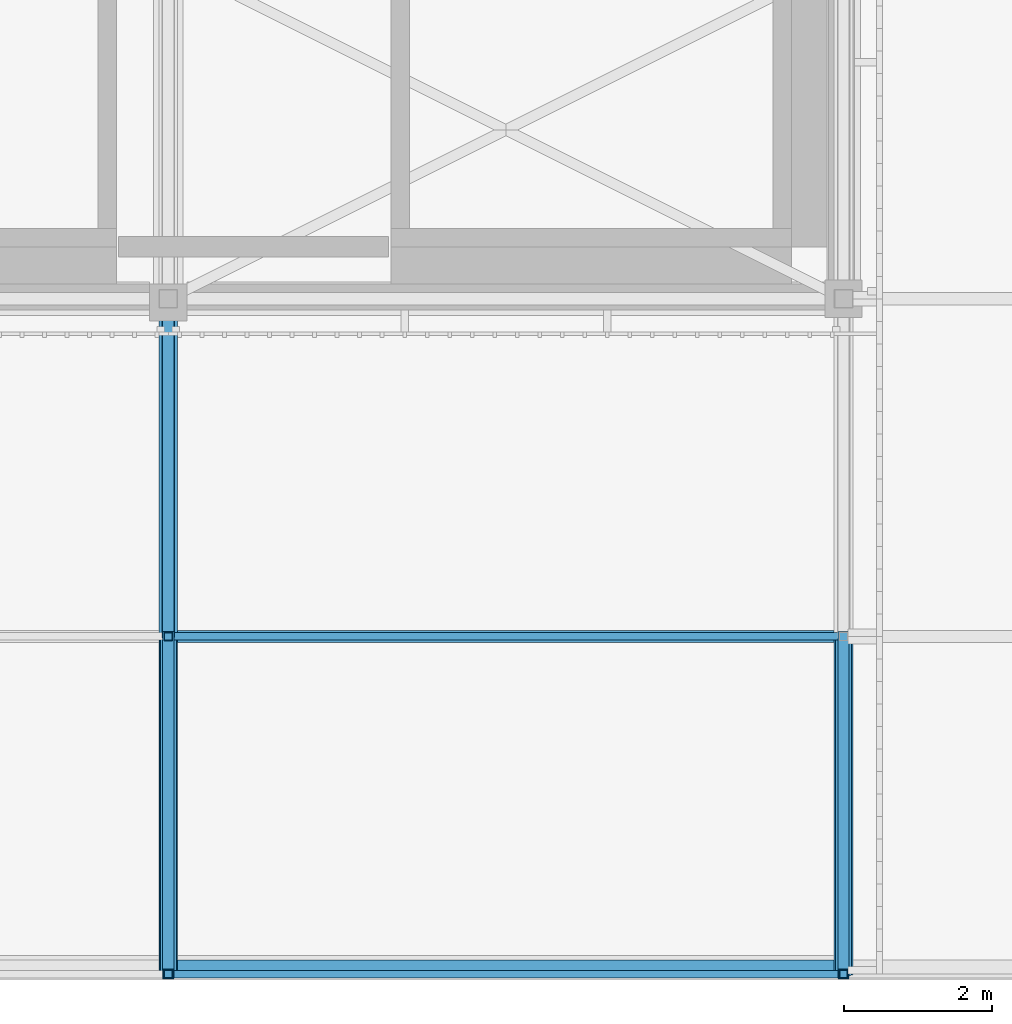
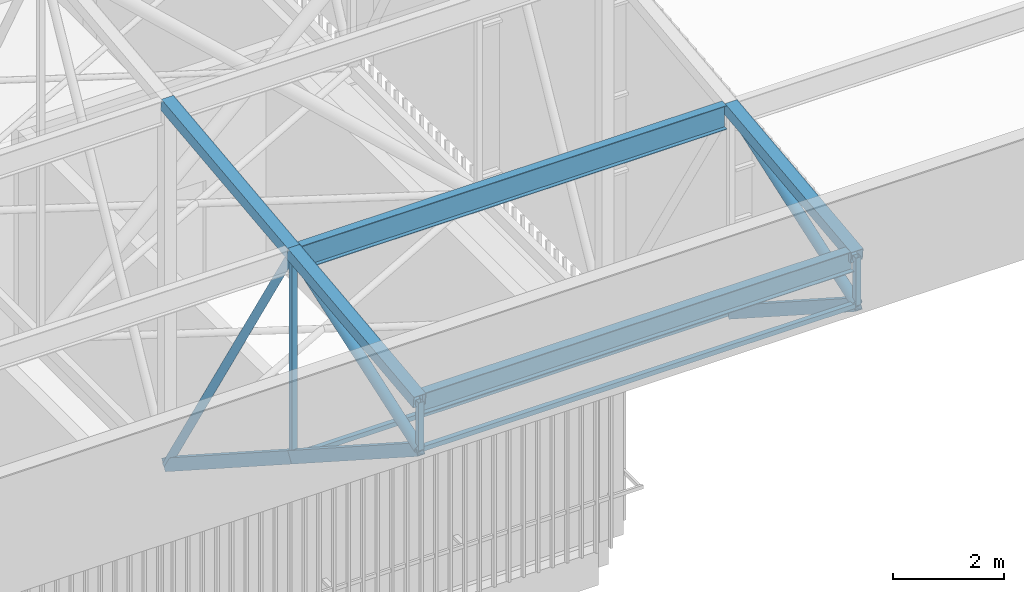
# One storey, part 330 of 500: 16 members.
"""IFC4 building model written with IfcOpenShell, lengths in metres."""

from ifc_helpers import new_model, si_unit, direction, frame, origin, origin_2d, place, context, subcontext, project, spatial, hollow_rectangle, hollow_circle, i_section, extrude, material, material_profile, profile_set, type_object, element, save


model = new_model("IFC4")

# Units and contexts
model_context = context("Model", 3, precision=1e-05, world=origin(), true_north=direction((0.0, 1.0)))
body_context = subcontext(model_context, "Body", "Model", "MODEL_VIEW")
ifc_project = project(units=[si_unit("LENGTHUNIT", "METRE"), si_unit("AREAUNIT", "SQUARE_METRE"), si_unit("VOLUMEUNIT", "CUBIC_METRE"), si_unit("PLANEANGLEUNIT", "RADIAN"), si_unit("MASSUNIT", "GRAM", prefix="KILO")], contexts=[model_context])

# Site, building, storey
site_placement = place(None, origin())
site = spatial("IfcSite", under=ifc_project, at=site_placement, CompositionType="ELEMENT")
building_placement = place(site_placement, origin())
building = spatial("IfcBuilding", under=site, at=building_placement, Name="Shirokan Park Arena", CompositionType="ELEMENT")
storey_placement = place(building_placement, frame((0.0, 0.0, 29.1201171875)))
storey = spatial("IfcBuildingStorey", under=building, at=storey_placement, Name="L06", CompositionType="ELEMENT", Elevation=29.1201171875)

# Members
ifc_material_1 = material(Name="Steel ASTM A500 Grade C", Category="steel")
ifc_material_profile_1 = material_profile(ifc_material_1, hollow_rectangle(XDim=0.152099609375, YDim=0.25390625, WallThickness=0.009521484375, at=origin_2d()), Name="HSS254X152.4X9.5")
ifc_profile_set_1 = profile_set([ifc_material_profile_1], Name="Steel ASTM A500 Grade C")
member_type_1 = type_object("IfcMemberType", Name="Bottom chord HSS254X152.4X9.5", PredefinedType="CHORD", material=ifc_profile_set_1)
for number, where, z_axis, x_axis, name in (
    (1, (136.5, -9.10009765625, 10.531982421875), (0.0, 0.840971691661, -0.541079119746), (-1.0, 0.0, 0.0), "Truss T16 bottom chord 1"),
    (2, (136.5, -4.550048828125, 7.6044921875), (0.0, 0.840971691661, -0.541079119746), (-1.0, 0.0, 0.0), "Truss T16 bottom chord 2"),
    (3, (145.60009765625, -9.10009765625, 10.531982421875), (0.0, 0.840971691661, -0.541079119746), (-1.0, 0.0, 0.0), "Truss T17 bottom chord 1"),
):
    element("IfcMember", number, at=place(storey_placement, frame(where, z_axis=z_axis, x_axis=x_axis)), inside=storey, type_object=member_type_1, Name=name, PredefinedType="CHORD", context=body_context, shape_type="SweptSolid", body=[
        extrude(hollow_rectangle(XDim=0.152099609375, YDim=0.25390625, WallThickness=0.009521484375, at=origin_2d()), origin(), (0.0, 0.0, 1.0), 5.410400390625),
    ])
ifc_material_profile_2 = material_profile(ifc_material_1, hollow_rectangle(XDim=0.10205078125, YDim=0.10205078125, WallThickness=0.00634765625, at=origin_2d()), Name="HSS101.6X101.6X6.4")
ifc_profile_set_2 = profile_set([ifc_material_profile_2], Name="Steel ASTM A500 Grade C")
member_type_2 = type_object("IfcMemberType", Name="Eave soffit rail HSS101.6X101.6X6.4", PredefinedType="USERDEFINED", material=ifc_profile_set_2)
for number, where, z_axis, x_axis, name in (
    (4, (136.556884765625, -9.10009765625, 10.531982421875), (1.0, 0.0, 0.0), (0.0, 1.0, 0.0), "Eave soffit rail S 1 bay 16"),
    (5, (136.556884765625, -4.550048828125, 7.6044921875), (1.0, 0.0, 0.0), (0.0, 1.0, 0.0), "Eave soffit rail S 2 bay 16"),
):
    element("IfcMember", number, at=place(storey_placement, frame(where, z_axis=z_axis, x_axis=x_axis)), inside=storey, type_object=member_type_2, Name=name, ObjectType="EAVE SOFFIT RAIL", PredefinedType="USERDEFINED", context=body_context, shape_type="SweptSolid", body=[
        extrude(hollow_rectangle(XDim=0.10205078125, YDim=0.10205078125, WallThickness=0.00634765625, at=origin_2d()), origin(), (0.0, 0.0, 1.0), 8.986083984375),
    ])
ifc_material_2 = material(Name="Steel ASTM A992", Category="steel")
ifc_material_profile_3 = material_profile(ifc_material_2, i_section(OverallWidth=0.166015625, OverallDepth=0.528076171875, WebThickness=0.009765625, FlangeThickness=0.013671875, at=origin_2d()), Name="W530X74")
ifc_profile_set_3 = profile_set([ifc_material_profile_3], Name="Steel ASTM A992")
member_type_3 = type_object("IfcMemberType", Name="Purlin W530X74", PredefinedType="PURLIN", material=ifc_profile_set_3)
member_1_placement = place(storey_placement, frame((136.626953125, -4.550048828125, 11.9658203125), z_axis=(1.0, 0.0, 0.0), x_axis=(0.0, 1.0, 0.0)))
element("IfcMember", 6, at=member_1_placement, inside=storey, type_object=member_type_3, Name="Purlin 2 bay 16", PredefinedType="PURLIN", context=body_context, shape_type="SweptSolid", body=[
    extrude(i_section(OverallWidth=0.166015625, OverallDepth=0.528076171875, WebThickness=0.009765625, FlangeThickness=0.013671875, at=origin_2d()), origin(), (0.0, 0.0, 1.0), 8.845947265625),
])
ifc_material_profile_4 = material_profile(ifc_material_2, i_section(OverallWidth=0.19091796875, OverallDepth=0.45703125, WebThickness=0.009033203125, FlangeThickness=0.014404296875, at=origin_2d()), Name="W460X74")
ifc_profile_set_4 = profile_set([ifc_material_profile_4], Name="Steel ASTM A992")
member_type_4 = type_object("IfcMemberType", Name="Roof edge beam W460X74", PredefinedType="USERDEFINED", material=ifc_profile_set_4)
member_2_placement = place(storey_placement, frame((136.556884765625, -9.00439453125, 11.4814453125), z_axis=(1.0, 0.0, 0.0), x_axis=(0.0, 1.0, 0.0)))
element("IfcMember", 7, at=member_2_placement, inside=storey, type_object=member_type_4, Name="Roof edge beam S 17", ObjectType="ROOF EDGE BEAM", PredefinedType="USERDEFINED", context=body_context, shape_type="SweptSolid", body=[
    extrude(i_section(OverallWidth=0.19091796875, OverallDepth=0.45703125, WebThickness=0.009033203125, FlangeThickness=0.014404296875, at=origin_2d()), origin(), (0.0, 0.0, 1.0), 8.986083984375),
])
ifc_material_profile_5 = material_profile(ifc_material_1, hollow_rectangle(XDim=0.25390625, YDim=0.25390625, WallThickness=0.009521484375, at=origin_2d()), Name="HSS254X254X9.5")
ifc_profile_set_5 = profile_set([ifc_material_profile_5], Name="Steel ASTM A500 Grade C")
member_type_5 = type_object("IfcMemberType", Name="Top chord HSS254X254X9.5", PredefinedType="CHORD", material=ifc_profile_set_5)
for number, where, z_axis, x_axis, name in (
    (8, (136.5, -9.10009765625, 11.582763671875), (0.0, 0.993532328996, 0.113549598152), (-1.0, 0.0, 0.0), "Truss T16 top chord 1"),
    (9, (136.5, -4.550048828125, 12.102783203125), (0.0, 0.993532328996, 0.113549598152), (-1.0, 0.0, 0.0), "Truss T16 top chord 2"),
    (10, (145.60009765625, -9.10009765625, 11.582763671875), (0.0, 0.993532328996, 0.113549598152), (-1.0, 0.0, 0.0), "Truss T17 top chord 1"),
):
    element("IfcMember", number, at=place(storey_placement, frame(where, z_axis=z_axis, x_axis=x_axis)), inside=storey, type_object=member_type_5, Name=name, PredefinedType="CHORD", context=body_context, shape_type="SweptSolid", body=[
        extrude(hollow_rectangle(XDim=0.25390625, YDim=0.25390625, WallThickness=0.009521484375, at=origin_2d()), origin(), (0.0, 0.0, 1.0), 4.57958984375),
    ])
ifc_material_profile_6 = material_profile(ifc_material_1, hollow_circle(Radius=0.083984375, WallThickness=0.009521484375, at=origin_2d()), Name="HSS168.3X9.5")
ifc_profile_set_6 = profile_set([ifc_material_profile_6], Name="Steel ASTM A500 Grade C")
member_type_6 = type_object("IfcMemberType", Name="Truss diagonal HSS168.3X9.5", PredefinedType="BRACE", material=ifc_profile_set_6)
member_3_placement = place(storey_placement, frame((136.5, -4.550048828125, 12.102783203125), z_axis=(0.0, 0.522458847856, -0.852664501605), x_axis=(-1.0, 0.0, 0.0)))
element("IfcMember", 11, at=member_3_placement, inside=storey, type_object=member_type_6, Name="Truss T16 diagonal 2", PredefinedType="BRACE", context=body_context, shape_type="SweptSolid", body=[
    extrude(hollow_circle(Radius=0.083984375, WallThickness=0.009521484375, at=origin_2d()), origin(), (0.0, 0.0, 1.0), 8.708984375),
])
ifc_material_profile_7 = material_profile(ifc_material_1, hollow_circle(Radius=0.109619140625, WallThickness=0.009521484375, at=origin_2d()), Name="HSS219.1X9.5")
ifc_profile_set_7 = profile_set([ifc_material_profile_7], Name="Steel ASTM A500 Grade C")
member_type_7 = type_object("IfcMemberType", Name="Truss diagonal HSS219.1X9.5", PredefinedType="BRACE", material=ifc_profile_set_7)
for number, where, z_axis, x_axis, name in (
    (12, (136.5, -9.10009765625, 10.531982421875), (0.0, 0.945256498603, 0.326328288459), (-1.0, 0.0, 0.0), "Truss T16 diagonal 1"),
    (13, (145.60009765625, -9.10009765625, 10.531982421875), (0.0, 0.945256498603, 0.326328288459), (-1.0, 0.0, 0.0), "Truss T17 diagonal 1"),
):
    element("IfcMember", number, at=place(storey_placement, frame(where, z_axis=z_axis, x_axis=x_axis)), inside=storey, type_object=member_type_7, Name=name, PredefinedType="BRACE", context=body_context, shape_type="SweptSolid", body=[
        extrude(hollow_circle(Radius=0.109619140625, WallThickness=0.009521484375, at=origin_2d()), origin(), (0.0, 0.0, 1.0), 4.8134765625),
    ])
ifc_material_profile_8 = material_profile(ifc_material_1, hollow_rectangle(XDim=0.114013671875, YDim=0.114013671875, WallThickness=0.00634765625, at=origin_2d()), Name="HSS114.3X114.3X6.4")
ifc_profile_set_8 = profile_set([ifc_material_profile_8], Name="Steel ASTM A500 Grade C")
member_type_8 = type_object("IfcMemberType", Name="Truss post HSS114.3X114.3X6.4", PredefinedType="POST", material=ifc_profile_set_8)
member_4_placement = place(storey_placement, frame((136.5, -9.10009765625, 10.531982421875), z_axis=(0.0, 0.0, 1.0), x_axis=(1.0, 0.0, 0.0)))
element("IfcMember", 14, at=member_4_placement, inside=storey, type_object=member_type_8, Name="Truss T16 post 1", PredefinedType="POST", context=body_context, shape_type="SweptSolid", body=[
    extrude(hollow_rectangle(XDim=0.114013671875, YDim=0.114013671875, WallThickness=0.00634765625, at=origin_2d()), origin(), (0.0, 0.0, 1.0), 1.05078125),
])
member_5_placement = place(storey_placement, frame((136.5, -4.550048828125, 7.6044921875), z_axis=(0.0, 0.0, 1.0), x_axis=(1.0, 0.0, 0.0)))
element("IfcMember", 15, at=member_5_placement, inside=storey, type_object=member_type_8, Name="Truss T16 post 2", PredefinedType="POST", context=body_context, shape_type="SweptSolid", body=[
    extrude(hollow_rectangle(XDim=0.114013671875, YDim=0.114013671875, WallThickness=0.00634765625, at=origin_2d()), origin(), (0.0, 0.0, 1.0), 4.498291015625),
])
member_6_placement = place(storey_placement, frame((145.60009765625, -9.10009765625, 10.531982421875), z_axis=(0.0, 0.0, 1.0), x_axis=(1.0, 0.0, 0.0)))
element("IfcMember", 16, at=member_6_placement, inside=storey, type_object=member_type_8, Name="Truss T17 post 1", PredefinedType="POST", context=body_context, shape_type="SweptSolid", body=[
    extrude(hollow_rectangle(XDim=0.114013671875, YDim=0.114013671875, WallThickness=0.00634765625, at=origin_2d()), origin(), (0.0, 0.0, 1.0), 1.05078125),
])

save(model, "model.ifc")
